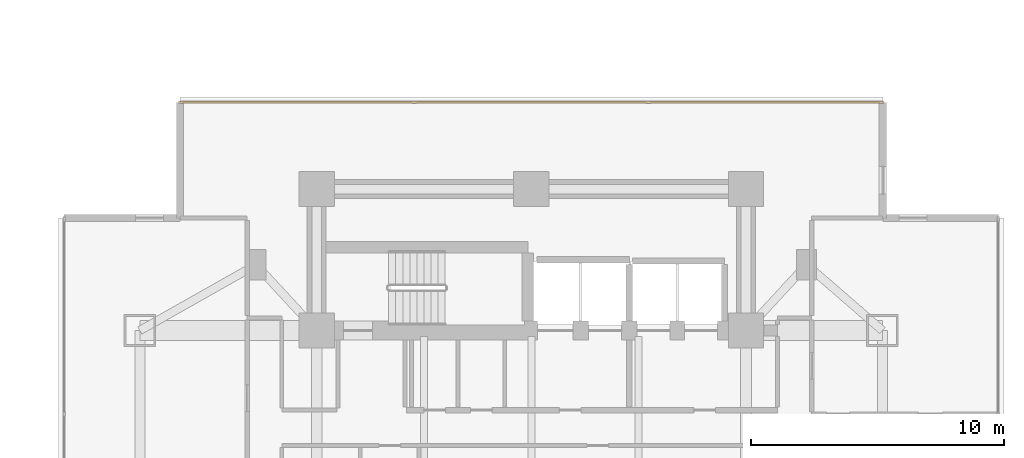
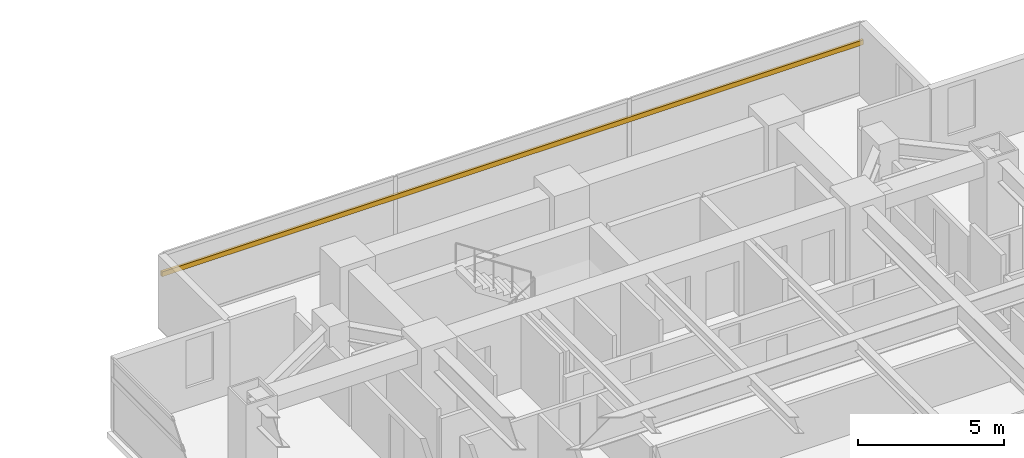
# One storey, part 25 of 25: 1 shading device.
"""IFC4 building model written with IfcOpenShell, lengths in metres."""

from ifc_helpers import new_model, si_unit, direction, frame, origin, origin_2d, place, context, subcontext, project, spatial, rectangle, extrude, material, material_profile, profile_set, type_object, element, save


model = new_model("IFC4")

# Units and contexts
model_context = context("Model", 3, precision=1e-05, world=origin(), true_north=direction((0.0, 1.0)))
body_context = subcontext(model_context, "Body", "Model", "MODEL_VIEW")
ifc_project = project(units=[si_unit("LENGTHUNIT", "METRE"), si_unit("AREAUNIT", "SQUARE_METRE"), si_unit("VOLUMEUNIT", "CUBIC_METRE"), si_unit("PLANEANGLEUNIT", "RADIAN"), si_unit("MASSUNIT", "GRAM", prefix="KILO")], contexts=[model_context])

# Site, building, storey
site_placement = place(None, origin())
site = spatial("IfcSite", under=ifc_project, at=site_placement, CompositionType="ELEMENT")
building_placement = place(site_placement, origin())
building = spatial("IfcBuilding", under=site, at=building_placement, Name="Mirazonda Arch Towers", CompositionType="ELEMENT")
storey_placement = place(building_placement, frame((0.0, 0.0, 32.300048828125)))
storey = spatial("IfcBuildingStorey", under=building, at=storey_placement, Name="L08", CompositionType="ELEMENT", Elevation=32.300048828125)

# Shading device
ifc_material = material(Name="Kiln-Fired Architectural Terracotta", Category="masonry")
ifc_material_profile = material_profile(ifc_material, rectangle(XDim=0.10009765625, YDim=0.199951171875, at=origin_2d()), Name="TERRA-BAG-100x200")
ifc_profile_set = profile_set([ifc_material_profile], Name="Kiln-Fired Architectural Terracotta")
shading_device_type = type_object("IfcShadingDeviceType", Name="BAGUETTE-2", PredefinedType="USERDEFINED", material=ifc_profile_set)
shading_device_placement = place(storey_placement, frame((62.5859375, 44.22998046875, 2.188720703125), z_axis=(1.0, 0.0, 0.0), x_axis=(0.0, 1.0, 0.0)))
element("IfcShadingDevice", 1, at=shading_device_placement, inside=storey, type_object=shading_device_type, Name="L08 Glazed Terracotta Sun-Screen Baguette CW-L08-T2-N", ObjectType="BAGUETTE", PredefinedType="USERDEFINED", context=body_context, shape_type="SweptSolid", body=[
    extrude(rectangle(XDim=0.10009765625, YDim=0.199951171875, at=origin_2d()), origin(), (0.0, 0.0, 1.0), 27.828125),
])

save(model, "model.ifc")
